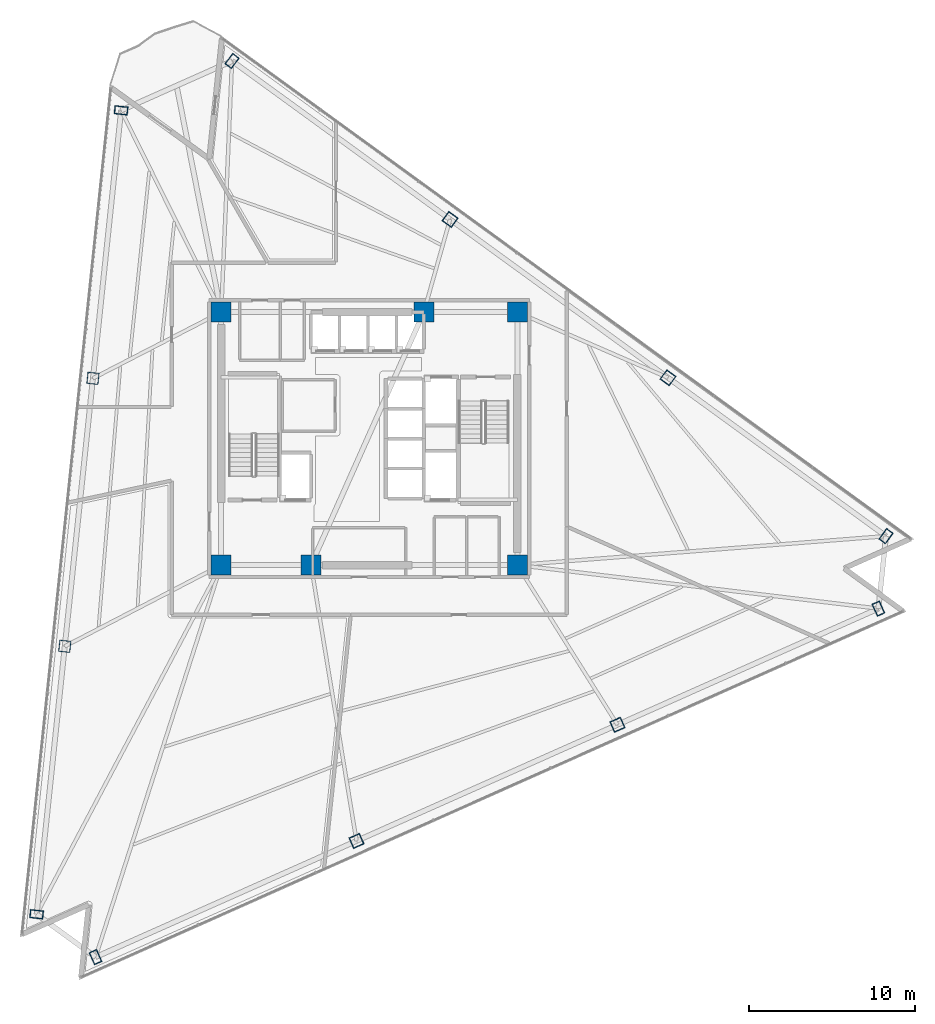
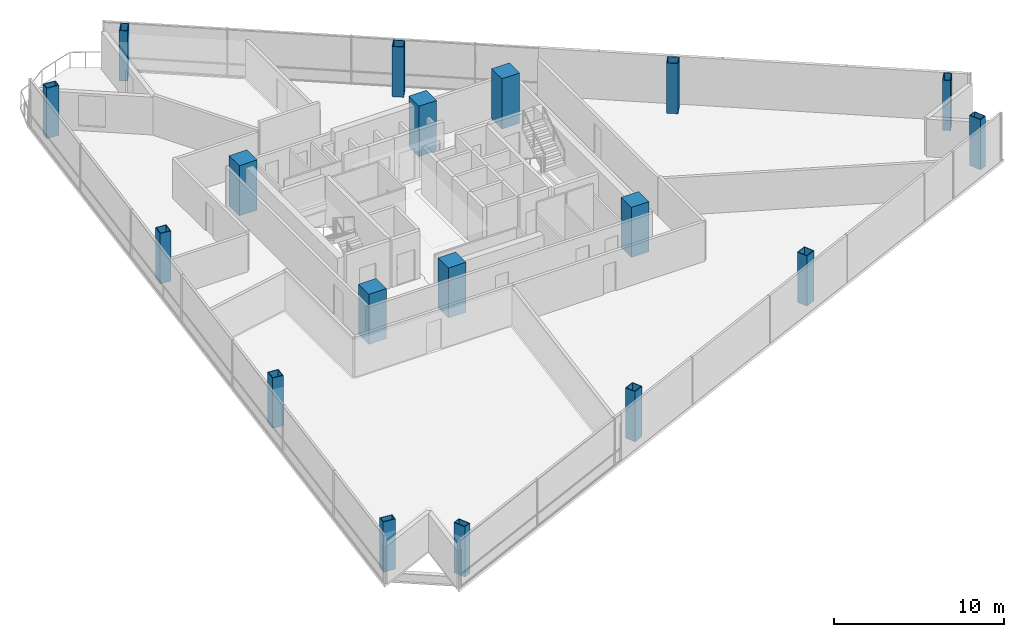
# One storey, part 1 of 16: 18 columns.
"""IFC4 building model written with IfcOpenShell, lengths in metres."""

import ifcopenshell
import ifcopenshell.guid

model = None  # the IFC model being written
_history = None  # IfcOwnerHistory: only IFC2X3 demands one
_inside = {}  # id of a spatial element -> (the spatial element, [elements in it])
_under = {}  # id of a project, library or spatial element -> (it, [spatial elements below it])
_declared = {}  # id of a project -> (the project, [libraries it declares])
_typed = {}  # id of a type object -> (the type object, [elements of that type])
_made_of = {}  # id of a material, layer set ... -> (it, [elements and type objects made of it])


def new_model(schema):
    """Start an empty IFC model of exactly this schema.

    Asked for "IFC4X3", IfcOpenShell would pick the latest addendum, in which some entities
    have other attributes; the version numbers below select the first issue.
    IFC2X3 requires an IfcOwnerHistory on every rooted entity: one is made here for all.
    """
    global model, _history
    if schema == "IFC4X3":
        model = ifcopenshell.file(schema_version=(4, 3, 0, 0))
    else:
        model = ifcopenshell.file(schema=schema)
    _inside.clear()
    _under.clear()
    _declared.clear()
    _typed.clear()
    _made_of.clear()
    _history = None
    if model.schema == "IFC2X3":
        org = make("IfcOrganization", Name="unknown")
        user = make(
            "IfcPersonAndOrganization",
            ThePerson=make("IfcPerson", FamilyName="unknown"),
            TheOrganization=org,
        )
        app = make(
            "IfcApplication",
            ApplicationDeveloper=org,
            Version="unknown",
            ApplicationFullName="unknown",
            ApplicationIdentifier="unknown",
        )
        _history = make(
            "IfcOwnerHistory",
            OwningUser=user,
            OwningApplication=app,
            ChangeAction="ADDED",
            CreationDate=0,
        )
    return model


def make(cls, **values):
    """One entity of the class cls with the attributes given. An attribute that is None is left unset."""
    return model.create_entity(
        cls, **{name: value for name, value in values.items() if value is not None}
    )


def rooted(cls, **values):
    """An entity with a GlobalId (a new one), such as an element, a storey or a relation."""
    return make(cls, GlobalId=ifcopenshell.guid.new(), OwnerHistory=_history, **values)


def si_unit(unit_type, name, prefix=None):
    """IfcSIUnit, for example si_unit("LENGTHUNIT", "METRE", prefix="MILLI")."""
    return make("IfcSIUnit", UnitType=unit_type, Prefix=prefix, Name=name)


def assignment(units):
    """IfcUnitAssignment: the units of a project."""
    return None if units is None else make("IfcUnitAssignment", Units=units)


def point(xyz):
    """IfcCartesianPoint."""
    return None if xyz is None else make("IfcCartesianPoint", Coordinates=xyz)


def direction(xyz):
    """IfcDirection."""
    return None if xyz is None else make("IfcDirection", DirectionRatios=xyz)


def frame(location, z_axis=None, x_axis=None):
    """IfcAxis2Placement3D, a coordinate frame: its origin and axes. An axis left out is left unset."""
    return make(
        "IfcAxis2Placement3D",
        Location=point(location),
        Axis=direction(z_axis),
        RefDirection=direction(x_axis),
    )


def frame_2d(location, x_axis=None):
    """IfcAxis2Placement2D, a coordinate frame in the plane: its origin and x axis."""
    return make(
        "IfcAxis2Placement2D", Location=point(location), RefDirection=direction(x_axis)
    )


def origin():
    """The frame at (0, 0, 0) with its axes left unset."""
    return frame((0.0, 0.0, 0.0))


def origin_2d():
    """The frame at (0, 0) in the plane with its x axis left unset."""
    return frame_2d((0.0, 0.0))


def place(relative_to, where):
    """IfcLocalPlacement: puts the frame where relative to a parent placement (None: the world)."""
    return make(
        "IfcLocalPlacement", PlacementRelTo=relative_to, RelativePlacement=where
    )


def context(
    kind, dimensions, precision=None, world=None, true_north=None, identifier=None
):
    """IfcGeometricRepresentationContext, for example the 3D "Model" context."""
    return make(
        "IfcGeometricRepresentationContext",
        ContextIdentifier=identifier,
        ContextType=kind,
        CoordinateSpaceDimension=dimensions,
        Precision=precision,
        WorldCoordinateSystem=world,
        TrueNorth=true_north,
    )


def subcontext(parent, identifier, kind, view, scale=None):
    """IfcGeometricRepresentationSubContext, for example "Body" below "Model"."""
    return make(
        "IfcGeometricRepresentationSubContext",
        ContextIdentifier=identifier,
        ContextType=kind,
        ParentContext=parent,
        TargetScale=scale,
        TargetView=view,
    )


def project(units=None, contexts=None):
    """IfcProject with its units and contexts."""
    return rooted(
        "IfcProject",
        Name="project",
        RepresentationContexts=contexts,
        UnitsInContext=assignment(units),
    )


def spatial(cls, under=None, at=None, **own):
    """A site, building, storey or space (cls), placed at a placement, below another one or the project."""
    s = rooted(cls, ObjectPlacement=at, **own)
    if under is not None:
        _under.setdefault(under.id(), (under, []))[1].append(s)
    return s


def profile(cls, at=None, kind="AREA", **sizes):
    """A parametric profile (cls). Its sizes go by their IFC names, for example OverallWidth=200.0."""
    return make(cls, ProfileType=kind, Position=at, **sizes)


def rectangle(**sizes):
    """IfcRectangleProfileDef."""
    return profile("IfcRectangleProfileDef", **sizes)


def hollow_rectangle(**sizes):
    """IfcRectangleHollowProfileDef."""
    return profile("IfcRectangleHollowProfileDef", **sizes)


def extrude(swept, where, along, depth):
    """IfcExtrudedAreaSolid: the profile swept, set in the frame where, extruded along a direction by depth."""
    return make(
        "IfcExtrudedAreaSolid",
        SweptArea=swept,
        Position=where,
        ExtrudedDirection=direction(along),
        Depth=depth,
    )


def shape(context_of_items, identifier, shape_type, items):
    """IfcShapeRepresentation: the items that make up one representation, for example the "Body"."""
    return make(
        "IfcShapeRepresentation",
        ContextOfItems=context_of_items,
        RepresentationIdentifier=identifier,
        RepresentationType=shape_type,
        Items=items,
    )


def material(Name=None, Category=None):
    """IfcMaterial."""
    return make("IfcMaterial", Name=Name, Category=Category)


def material_profile(
    of_material, cross_section, Name=None, Category=None, Priority=None
):
    """IfcMaterialProfile: a cross section and its material."""
    return make(
        "IfcMaterialProfile",
        Name=Name,
        Material=of_material,
        Profile=cross_section,
        Priority=Priority,
        Category=Category,
    )


def profile_set(profiles, Name=None, composite=None):
    """IfcMaterialProfileSet."""
    return make(
        "IfcMaterialProfileSet",
        Name=Name,
        MaterialProfiles=profiles,
        CompositeProfile=composite,
    )


def made_of(thing, what):
    """Note that an element or type object is made of a material, layer set ...; save() writes the relation."""
    if what is not None:
        _made_of.setdefault(what.id(), (what, []))[1].append(thing)
    return thing


def type_object(cls, material=None, **own):
    """A type object (cls), such as IfcWallType, which elements share."""
    return made_of(rooted(cls, **own), material)


def element(
    cls,
    number,
    at=None,
    inside=None,
    cuts=None,
    type_object=None,
    material=None,
    context=None,
    identifier="Body",
    shape_type=None,
    held_by="IfcProductDefinitionShape",
    body=None,
    shapes=None,
    **own,
):
    """One element of the class cls, such as IfcWall. Its Tag is "e" and its number.

    at: its placement. inside: the storey or other place that contains it. cuts: it is an
    opening in that element (IfcRelVoidsElement). A single representation is given by context,
    identifier, shape_type and body (its items); several are given by shapes. held_by: the class
    of the entity that holds the representations. save() writes the other relations.
    """
    e = rooted(cls, Tag="e%d" % number, ObjectPlacement=at, **own)
    if body is not None:
        shapes = [shape(context, identifier, shape_type, body)]
    if shapes is not None:
        e.Representation = make(held_by, Representations=shapes)
    if inside is not None:
        _inside.setdefault(inside.id(), (inside, []))[1].append(e)
    if cuts is not None:
        rooted(
            "IfcRelVoidsElement", RelatingBuildingElement=cuts, RelatedOpeningElement=e
        )
    if type_object is not None:
        _typed.setdefault(type_object.id(), (type_object, []))[1].append(e)
    return made_of(e, material)


def aggregate(whole, parts):
    """IfcRelAggregates: a whole, such as a stair, and the parts it consists of."""
    return rooted("IfcRelAggregates", RelatingObject=whole, RelatedObjects=parts)


def save(model, path):
    """Write the relations noted so far, then the file.

    IfcRelAggregates (storeys below a building ...), IfcRelContainedInSpatialStructure (elements
    in a storey), IfcRelDefinesByType, IfcRelAssociatesMaterial and IfcRelDeclares: one each for
    every whole, place, type object, material and project.
    """
    for whole, parts in _under.values():
        aggregate(whole, parts)
    for where, things in _inside.values():
        rooted(
            "IfcRelContainedInSpatialStructure",
            RelatedElements=things,
            RelatingStructure=where,
        )
    for kind, things in _typed.values():
        rooted("IfcRelDefinesByType", RelatedObjects=things, RelatingType=kind)
    for what, things in _made_of.values():
        rooted("IfcRelAssociatesMaterial", RelatedObjects=things, RelatingMaterial=what)
    for by, libraries in _declared.values():
        rooted("IfcRelDeclares", RelatingContext=by, RelatedDefinitions=libraries)
    model.write(path)


model = new_model("IFC4")

# Units and contexts
model_context = context("Model", 3, precision=1e-05, world=origin(), true_north=direction((0.0, 1.0)))
body_context = subcontext(model_context, "Body", "Model", "MODEL_VIEW")
ifc_project = project(units=[si_unit("LENGTHUNIT", "METRE"), si_unit("AREAUNIT", "SQUARE_METRE"), si_unit("VOLUMEUNIT", "CUBIC_METRE"), si_unit("PLANEANGLEUNIT", "RADIAN"), si_unit("MASSUNIT", "GRAM", prefix="KILO")], contexts=[model_context])

# Site, building, storey
site_placement = place(None, origin())
site = spatial("IfcSite", under=ifc_project, at=site_placement, CompositionType="ELEMENT")
building_placement = place(site_placement, origin())
building = spatial("IfcBuilding", under=site, at=building_placement, Name="Tharavind Bronze Gate", CompositionType="ELEMENT")
storey_placement = place(building_placement, frame((0.0, 0.0, 130.449951171875)))
storey = spatial("IfcBuildingStorey", under=building, at=storey_placement, Name="L33", CompositionType="ELEMENT", Elevation=130.449951171875)

# Columns
ifc_material_1 = material(Name="Steel S460", Category="steel")
ifc_material_profile_1 = material_profile(ifc_material_1, hollow_rectangle(XDim=0.5, YDim=0.800048828125, WallThickness=0.0400390625, at=origin_2d()), Name="RHS800X500X40")
ifc_profile_set_1 = profile_set([ifc_material_profile_1], Name="Steel S460")
column_type_1 = type_object("IfcColumnType", Name="CORNER NOTCH COLUMN RHS800X500", PredefinedType="COLUMN", material=ifc_profile_set_1)
for number, where, z_axis, x_axis, name in (
    (1, (-14.91748046875, 19.7314453125, 0.0), (0.0, 0.0, 1.0), (0.104530199036, 0.99452171293, 0.0), "L33 perimeter column S1C1"),
    (2, (-19.9970703125, -28.597900390625, 0.0), (0.0, 0.0, 1.0), (0.104530199036, 0.99452171293, 0.0), "L33 perimeter column S1C4"),
    (3, (-16.45361328125, -31.17236328125, 0.0), (0.0, 0.0, 1.0), (0.913545457643, 0.406736643076, 0.0), "L33 perimeter column S2C1"),
    (4, (30.60791015625, -10.218994140625, 0.0), (0.0, 0.0, 1.0), (0.913545457643, 0.406736643076, 0.0), "L33 perimeter column S2C4"),
    (5, (31.06591796875, -5.863037109375, 0.0), (0.0, 0.0, 1.0), (-0.809016994375, 0.587785252292, 0.0), "L33 perimeter column S3C1"),
    (6, (-8.24853515625, 22.70068359375, 0.0), (0.0, 0.0, 1.0), (-0.809016994375, 0.587785252292, 0.0), "L33 perimeter column S3C4"),
):
    element("IfcColumn", number, at=place(storey_placement, frame(where, z_axis=z_axis, x_axis=x_axis)), inside=storey, type_object=column_type_1, Name=name, PredefinedType="COLUMN", context=body_context, shape_type="SweptSolid", body=[
        extrude(hollow_rectangle(XDim=0.5, YDim=0.800048828125, WallThickness=0.0400390625, at=origin_2d()), origin(), (0.0, 0.0, 1.0), 3.60009765625),
    ])
ifc_material_2 = material(Name="Concrete C60/75", Category="concrete")
ifc_material_profile_2 = material_profile(ifc_material_2, rectangle(XDim=1.199951171875, YDim=1.199951171875, at=origin_2d()), Name="RCCOL1200")
ifc_profile_set_2 = profile_set([ifc_material_profile_2], Name="Concrete C60/75")
column_type_2 = type_object("IfcColumnType", Name="MEGA CORE COLUMN 1200", PredefinedType="COLUMN", material=ifc_profile_set_2)
for number, where, z_axis, x_axis, name in (
    (7, (-8.89990234375, -7.60009765625, 0.0), (0.0, 0.0, 1.0), (1.0, 0.0, 0.0), "L33 core mega column MC1"),
    (8, (-3.5, -7.60009765625, 0.0), (0.0, 0.0, 1.0), (1.0, 0.0, 0.0), "L33 core mega column MC2"),
    (9, (8.89990234375, -7.60009765625, 0.0), (0.0, 0.0, 1.0), (1.0, 0.0, 0.0), "L33 core mega column MC3"),
    (10, (8.89990234375, 7.60009765625, 0.0), (0.0, 0.0, 1.0), (1.0, 0.0, 0.0), "L33 core mega column MC4"),
    (11, (3.280029296875, 7.60009765625, 0.0), (0.0, 0.0, 1.0), (1.0, 0.0, 0.0), "L33 core mega column MC5"),
    (12, (-8.89990234375, 7.60009765625, 0.0), (0.0, 0.0, 1.0), (1.0, 0.0, 0.0), "L33 core mega column MC6"),
):
    element("IfcColumn", number, at=place(storey_placement, frame(where, z_axis=z_axis, x_axis=x_axis)), inside=storey, type_object=column_type_2, Name=name, PredefinedType="COLUMN", context=body_context, shape_type="SweptSolid", body=[
        extrude(rectangle(XDim=1.199951171875, YDim=1.199951171875, at=origin_2d()), origin(), (0.0, 0.0, 1.0), 3.60009765625),
    ])
ifc_material_profile_3 = material_profile(ifc_material_1, hollow_rectangle(XDim=0.699951171875, YDim=0.699951171875, WallThickness=0.0400390625, at=origin_2d()), Name="SHS700X40")
ifc_profile_set_3 = profile_set([ifc_material_profile_3], Name="Steel S460")
column_type_3 = type_object("IfcColumnType", Name="PERIMETER BOX COLUMN SHS700", PredefinedType="COLUMN", material=ifc_profile_set_3)
for number, where, z_axis, x_axis, name in (
    (13, (-16.610595703125, 3.62158203125, 0.0), (0.0, 0.0, 1.0), (0.104530199036, 0.99452171293, 0.0), "L33 perimeter column S1C2"),
    (14, (-18.303955078125, -12.488037109375, 0.0), (0.0, 0.0, 1.0), (0.104530199036, 0.99452171293, 0.0), "L33 perimeter column S1C3"),
    (15, (-0.766357421875, -24.18798828125, 0.0), (0.0, 0.0, 1.0), (0.913545457643, 0.406736643076, 0.0), "L33 perimeter column S2C2"),
    (16, (14.9208984375, -17.20361328125, 0.0), (0.0, 0.0, 1.0), (0.913545457643, 0.406736643076, 0.0), "L33 perimeter column S2C3"),
    (17, (17.961181640625, 3.658203125, 0.0), (0.0, 0.0, 1.0), (-0.809016994375, 0.587785252292, 0.0), "L33 perimeter column S3C2"),
    (18, (4.856201171875, 13.179443359375, 0.0), (0.0, 0.0, 1.0), (-0.809016994375, 0.587785252292, 0.0), "L33 perimeter column S3C3"),
):
    element("IfcColumn", number, at=place(storey_placement, frame(where, z_axis=z_axis, x_axis=x_axis)), inside=storey, type_object=column_type_3, Name=name, PredefinedType="COLUMN", context=body_context, shape_type="SweptSolid", body=[
        extrude(hollow_rectangle(XDim=0.699951171875, YDim=0.699951171875, WallThickness=0.0400390625, at=origin_2d()), origin(), (0.0, 0.0, 1.0), 3.60009765625),
    ])

save(model, "model.ifc")
